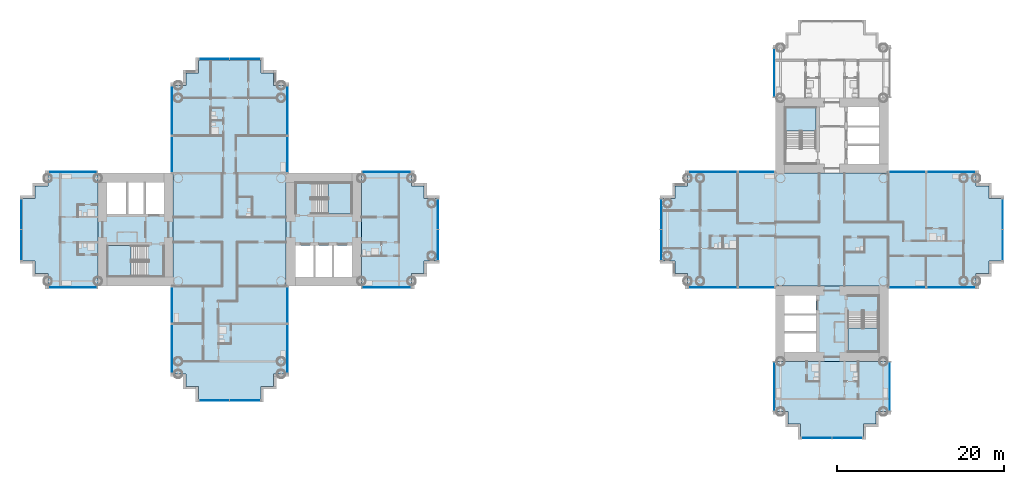
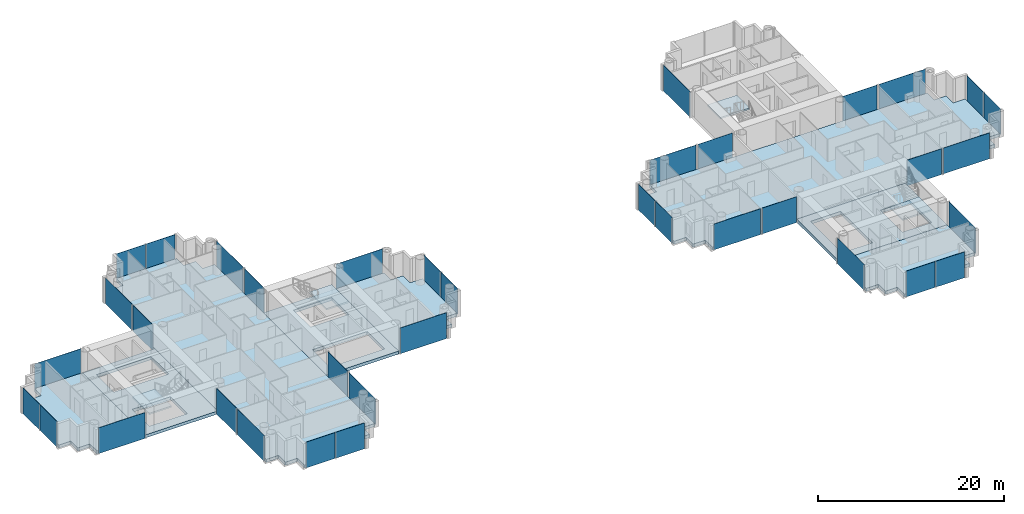
# One storey, part 7 of 21: 37 plates, 12 slabs, 34 elements without a shape of their own.
"""IFC4 building model written with IfcOpenShell, lengths in metres."""

from ifc_helpers import new_model, si_unit, direction, frame, origin, origin_2d, place, context, subcontext, project, spatial, polyline, rectangle, outline, extrude, material, layer, layer_set, type_object, element, aggregate, save


model = new_model("IFC4")

# Units and contexts
model_context = context("Model", 3, precision=1e-05, world=origin(), true_north=direction((0.0, 1.0)))
body_context = subcontext(model_context, "Body", "Model", "MODEL_VIEW")
ifc_project = project(units=[si_unit("LENGTHUNIT", "METRE"), si_unit("AREAUNIT", "SQUARE_METRE"), si_unit("VOLUMEUNIT", "CUBIC_METRE"), si_unit("PLANEANGLEUNIT", "RADIAN"), si_unit("MASSUNIT", "GRAM", prefix="KILO")], contexts=[model_context])

# Site, building, storey
site_placement = place(None, origin())
site = spatial("IfcSite", under=ifc_project, at=site_placement, CompositionType="ELEMENT")
building_placement = place(site_placement, origin())
building = spatial("IfcBuilding", under=site, at=building_placement, Name="Ipe Terrace Towers", CompositionType="ELEMENT")
storey_placement = place(building_placement, frame((0.0, 0.0, 27.89990234375)))
storey = spatial("IfcBuildingStorey", under=building, at=storey_placement, Name="L06", CompositionType="ELEMENT", Elevation=27.89990234375)

# Slabs
ifc_material_1 = material(Name="Concrete C30/37", Category="concrete")
ifc_layer_1 = layer(ifc_material_1, 0.39990234375)
ifc_layer_set_1 = layer_set([ifc_layer_1], Name="CORE FLOOR SLAB 400 C30-37")
slab_type_1 = type_object("IfcSlabType", Name="CORE FLOOR SLAB 400 C30-37", PredefinedType="FLOOR", material=ifc_layer_set_1)
slab_1_placement = place(storey_placement, frame((0.0, 0.0, -0.39990234375)))
element("IfcSlab", 1, at=slab_1_placement, inside=storey, type_object=slab_type_1, Name="Core floor T1-C1", PredefinedType="FLOOR", context=body_context, shape_type="SweptSolid", body=[
    extrude(outline(polyline([(-29.25, -6.75), (-29.25, 6.75), (-20.25, 6.75), (-20.25, -6.75), (-29.25, -6.75)]), holes=[polyline([(-28.14990234375, -5.64990234375), (-21.35009765625, -5.64990234375), (-21.35009765625, -1.89990234375), (-28.14990234375, -1.89990234375), (-28.14990234375, -5.64990234375)]), polyline([(-26.199951171875, 5.550048828125), (-26.199951171875, 1.89990234375), (-21.449951171875, 1.89990234375), (-21.449951171875, 5.550048828125), (-26.199951171875, 5.550048828125)])]), origin(), (0.0, 0.0, 1.0), 0.39990234375),
])
slab_2_placement = place(storey_placement, frame((0.0, 0.0, -0.39990234375)))
element("IfcSlab", 2, at=slab_2_placement, inside=storey, type_object=slab_type_1, Name="Core floor T1-C2", PredefinedType="FLOOR", context=body_context, shape_type="SweptSolid", body=[
    extrude(outline(polyline([(-51.75, -6.75), (-51.75, 6.75), (-42.75, 6.75), (-42.75, -6.75), (-51.75, -6.75)]), holes=[polyline([(-45.800048828125, -5.550048828125), (-45.800048828125, -1.89990234375), (-50.550048828125, -1.89990234375), (-50.550048828125, -5.550048828125), (-45.800048828125, -5.550048828125)]), polyline([(-50.64990234375, 1.89990234375), (-43.85009765625, 1.89990234375), (-43.85009765625, 5.64990234375), (-50.64990234375, 5.64990234375), (-50.64990234375, 1.89990234375)])]), origin(), (0.0, 0.0, 1.0), 0.39990234375),
])
slab_3_placement = place(storey_placement, frame((0.0, 0.0, -0.39990234375)))
element("IfcSlab", 3, at=slab_3_placement, inside=storey, type_object=slab_type_1, Name="Core floor T2-C2", PredefinedType="FLOOR", context=body_context, shape_type="SweptSolid", body=[
    extrude(outline(polyline([(29.25, -15.75), (29.25, -6.75), (42.75, -6.75), (42.75, -15.75), (29.25, -15.75)]), holes=[polyline([(34.10009765625, -14.64990234375), (34.10009765625, -7.85009765625), (30.35009765625, -7.85009765625), (30.35009765625, -14.64990234375), (34.10009765625, -14.64990234375)]), polyline([(41.550048828125, -9.800048828125), (37.89990234375, -9.800048828125), (37.89990234375, -14.550048828125), (41.550048828125, -14.550048828125), (41.550048828125, -9.800048828125)])]), origin(), (0.0, 0.0, 1.0), 0.39990234375),
])

# Stair, slab
ifc_material_2 = material(Name="Concrete C30/37", Category="concrete")
stair_type = type_object("IfcStairType", Name="Protected exit stair", PredefinedType="HALF_TURN_STAIR", material=ifc_material_2)
stair_1_placement = place(storey_placement, origin())
stair_1 = element("IfcStair", 4, at=stair_1_placement, inside=storey, type_object=stair_type, Name="L06 Exit stair T1-C1", PredefinedType="HALF_TURN_STAIR")
ifc_material_3 = material(Name="Concrete C30/37", Category="concrete")
ifc_layer_2 = layer(ifc_material_3, 0.199951171875)
ifc_layer_set_2 = layer_set([ifc_layer_2], Name="Exit stair landing 200")
slab_type_2 = type_object("IfcSlabType", Name="Exit stair landing 200", PredefinedType="LANDING", material=ifc_layer_set_2)
slab_4_placement = place(storey_placement, frame((0.0, 0.0, 1.5)))
slab_4 = element("IfcSlab", 5, at=slab_4_placement, type_object=slab_type_2, Name="T1-ST1 landing 1", PredefinedType="LANDING", context=body_context, shape_type="SweptSolid", body=[
    extrude(outline(polyline([(-24.219970703125, 1.89990234375), (-21.449951171875, 1.89990234375), (-21.449951171875, 5.550048828125), (-24.219970703125, 5.550048828125), (-24.219970703125, 1.89990234375)])), origin(), (0.0, 0.0, 1.0), 0.2001953125),
])
aggregate(stair_1, [slab_4])

stair_2_placement = place(storey_placement, origin())
stair_2 = element("IfcStair", 6, at=stair_2_placement, inside=storey, type_object=stair_type, Name="L06 Exit stair T1-C2", PredefinedType="HALF_TURN_STAIR")
slab_5_placement = place(storey_placement, frame((0.0, 0.0, 1.5)))
slab_5 = element("IfcSlab", 7, at=slab_5_placement, type_object=slab_type_2, Name="T1-ST2 landing 1", PredefinedType="LANDING", context=body_context, shape_type="SweptSolid", body=[
    extrude(outline(polyline([(-47.780029296875, -1.89990234375), (-50.550048828125, -1.89990234375), (-50.550048828125, -5.550048828125), (-47.780029296875, -5.550048828125), (-47.780029296875, -1.89990234375)])), origin(), (0.0, 0.0, 1.0), 0.2001953125),
])
aggregate(stair_2, [slab_5])

stair_3_placement = place(storey_placement, origin())
stair_3 = element("IfcStair", 8, at=stair_3_placement, inside=storey, type_object=stair_type, Name="L06 Exit stair T2-C1", PredefinedType="HALF_TURN_STAIR")
slab_6_placement = place(storey_placement, frame((0.0, 0.0, 1.5)))
slab_6 = element("IfcSlab", 9, at=slab_6_placement, type_object=slab_type_2, Name="T2-ST1 landing 1", PredefinedType="LANDING", context=body_context, shape_type="SweptSolid", body=[
    extrude(outline(polyline([(34.10009765625, 11.780029296875), (34.10009765625, 14.550048828125), (30.449951171875, 14.550048828125), (30.449951171875, 11.780029296875), (34.10009765625, 11.780029296875)])), origin(), (0.0, 0.0, 1.0), 0.2001953125),
])
aggregate(stair_3, [slab_6])

stair_4_placement = place(storey_placement, origin())
stair_4 = element("IfcStair", 10, at=stair_4_placement, inside=storey, type_object=stair_type, Name="L06 Exit stair T2-C2", PredefinedType="HALF_TURN_STAIR")
slab_7_placement = place(storey_placement, frame((0.0, 0.0, 1.5)))
slab_7 = element("IfcSlab", 11, at=slab_7_placement, type_object=slab_type_2, Name="T2-ST2 landing 1", PredefinedType="LANDING", context=body_context, shape_type="SweptSolid", body=[
    extrude(outline(polyline([(37.89990234375, -11.780029296875), (37.89990234375, -14.550048828125), (41.550048828125, -14.550048828125), (41.550048828125, -11.780029296875), (37.89990234375, -11.780029296875)])), origin(), (0.0, 0.0, 1.0), 0.2001953125),
])
aggregate(stair_4, [slab_7])

# Slabs
ifc_material_4 = material(Name="Concrete C40/50", Category="concrete")
ifc_layer_3 = layer(ifc_material_4, 0.39990234375)
ifc_layer_set_3 = layer_set([ifc_layer_3], Name="FLAT PLATE SLAB 400 C40-50")
slab_type_3 = type_object("IfcSlabType", Name="FLAT PLATE SLAB 400 C40-50", PredefinedType="FLOOR", material=ifc_layer_set_3)
slab_8_placement = place(storey_placement, frame((0.0, 0.0, -0.39990234375)))
element("IfcSlab", 12, at=slab_8_placement, inside=storey, type_object=slab_type_3, Name="Slab T1-FS-Z11", PredefinedType="FLOOR", context=body_context, shape_type="SweptSolid", body=[
    extrude(outline(polyline([(-30.75, -17.25), (-30.75, -18.75), (-32.25, -18.75), (-32.25, -20.25), (-39.75, -20.25), (-39.75, -18.75), (-41.25, -18.75), (-41.25, -17.25), (-42.75, -17.25), (-42.75, -6.75), (-42.75, 6.75), (-42.75, 17.25), (-41.25, 17.25), (-41.25, 18.75), (-39.75, 18.75), (-39.75, 20.25), (-32.25, 20.25), (-32.25, 18.75), (-30.75, 18.75), (-30.75, 17.25), (-29.25, 17.25), (-29.25, 6.75), (-29.25, -6.75), (-29.25, -17.25), (-30.75, -17.25)])), origin(), (0.0, 0.0, 1.0), 0.39990234375),
])
slab_9_placement = place(storey_placement, frame((0.0, 0.0, -0.39990234375)))
element("IfcSlab", 13, at=slab_9_placement, inside=storey, type_object=slab_type_3, Name="Slab T1-FS-Z12", PredefinedType="FLOOR", context=body_context, shape_type="SweptSolid", body=[
    extrude(outline(polyline([(-57.75, -6.75), (-57.75, -5.25), (-59.25, -5.25), (-59.25, -3.75), (-60.75, -3.75), (-60.75, 3.75), (-59.25, 3.75), (-59.25, 5.25), (-57.75, 5.25), (-57.75, 6.75), (-51.75, 6.75), (-51.75, -6.75), (-57.75, -6.75)])), origin(), (0.0, 0.0, 1.0), 0.39990234375),
])
slab_10_placement = place(storey_placement, frame((0.0, 0.0, -0.39990234375)))
element("IfcSlab", 14, at=slab_10_placement, inside=storey, type_object=slab_type_3, Name="Slab T1-FS-Z13", PredefinedType="FLOOR", context=body_context, shape_type="SweptSolid", body=[
    extrude(outline(polyline([(-14.25, 5.25), (-12.75, 5.25), (-12.75, 3.75), (-11.25, 3.75), (-11.25, -3.75), (-12.75, -3.75), (-12.75, -5.25), (-14.25, -5.25), (-14.25, -6.75), (-20.25, -6.75), (-20.25, 6.75), (-14.25, 6.75), (-14.25, 5.25)])), origin(), (0.0, 0.0, 1.0), 0.39990234375),
])
slab_11_placement = place(storey_placement, frame((0.0, 0.0, -0.39990234375)))
element("IfcSlab", 15, at=slab_11_placement, inside=storey, type_object=slab_type_3, Name="Slab T2-FS-Z11", PredefinedType="FLOOR", context=body_context, shape_type="SweptSolid", body=[
    extrude(outline(polyline([(53.25, 5.25), (54.75, 5.25), (54.75, 3.75), (56.25, 3.75), (56.25, -3.75), (54.75, -3.75), (54.75, -5.25), (53.25, -5.25), (53.25, -6.75), (42.75, -6.75), (29.25, -6.75), (18.75, -6.75), (18.75, -5.25), (17.25, -5.25), (17.25, -3.75), (15.75, -3.75), (15.75, 3.75), (17.25, 3.75), (17.25, 5.25), (18.75, 5.25), (18.75, 6.75), (29.25, 6.75), (42.75, 6.75), (53.25, 6.75), (53.25, 5.25)])), origin(), (0.0, 0.0, 1.0), 0.39990234375),
])
slab_12_placement = place(storey_placement, frame((0.0, 0.0, -0.39990234375)))
element("IfcSlab", 16, at=slab_12_placement, inside=storey, type_object=slab_type_3, Name="Slab T2-FS-Z12", PredefinedType="FLOOR", context=body_context, shape_type="SweptSolid", body=[
    extrude(outline(polyline([(42.75, -21.75), (41.25, -21.75), (41.25, -23.25), (39.75, -23.25), (39.75, -24.75), (32.25, -24.75), (32.25, -23.25), (30.75, -23.25), (30.75, -21.75), (29.25, -21.75), (29.25, -15.75), (42.75, -15.75), (42.75, -21.75)])), origin(), (0.0, 0.0, 1.0), 0.39990234375),
])

# Curtain wall, plate
ifc_material_5 = material(Name="Aluminium alloy 6063-T6", Category="aluminium")
ifc_layer_4 = layer(ifc_material_5, 0.320068359375)
ifc_layer_set_4 = layer_set([ifc_layer_4], Name="TOWER UNITISED CURTAIN WALL")
curtain_wall_type = type_object("IfcCurtainWallType", Name="TOWER UNITISED CURTAIN WALL", PredefinedType="NOTDEFINED", material=ifc_layer_set_4)
curtain_wall_1_placement = place(storey_placement, origin())
curtain_wall_1 = element("IfcCurtainWall", 17, at=curtain_wall_1_placement, inside=storey, type_object=curtain_wall_type, Name="T1-CW-L06-04a curtain wall", PredefinedType="NOTDEFINED")
ifc_material_6 = material(Name="Glass, clear laminated", Category="glass")
ifc_layer_5 = layer(ifc_material_6, 0.031982421875)
ifc_layer_set_5 = layer_set([ifc_layer_5], Name="TOWER UNITISED GLASS PANEL 32")
plate_type = type_object("IfcPlateType", Name="TOWER UNITISED GLASS PANEL 32", PredefinedType="CURTAIN_PANEL", material=ifc_layer_set_5)
plate_1_placement = place(storey_placement, frame((-54.75048828125, -6.909912109375, -0.2998046875), z_axis=(0.0, 0.0, 1.0), x_axis=(1.0, 0.0, 0.0)))
plate_1 = element("IfcPlate", 18, at=plate_1_placement, type_object=plate_type, Name="T1-CW-L06-04a panel 1", PredefinedType="CURTAIN_PANEL", context=body_context, shape_type="SweptSolid", body=[
    extrude(rectangle(XDim=5.759033203125, YDim=0.031982421875, at=origin_2d()), origin(), (0.0, 0.0, 1.0), 3.39990234375),
])
aggregate(curtain_wall_1, [plate_1])

curtain_wall_2_placement = place(storey_placement, origin())
curtain_wall_2 = element("IfcCurtainWall", 19, at=curtain_wall_2_placement, inside=storey, type_object=curtain_wall_type, Name="T1-CW-L06-06a curtain wall", PredefinedType="NOTDEFINED")
plate_2_placement = place(storey_placement, frame((-42.909912109375, -9.0, -0.2998046875), z_axis=(0.0, 0.0, 1.0), x_axis=(0.0, -1.0, 0.0)))
plate_2 = element("IfcPlate", 20, at=plate_2_placement, type_object=plate_type, Name="T1-CW-L06-06a panel 1", PredefinedType="CURTAIN_PANEL", context=body_context, shape_type="SweptSolid", body=[
    extrude(rectangle(XDim=4.260009765625, YDim=0.031982421875, at=origin_2d()), origin(), (0.0, 0.0, 1.0), 3.39990234375),
])
aggregate(curtain_wall_2, [plate_2])

curtain_wall_3_placement = place(storey_placement, origin())
curtain_wall_3 = element("IfcCurtainWall", 21, at=curtain_wall_3_placement, inside=storey, type_object=curtain_wall_type, Name="T1-CW-L06-07a curtain wall", PredefinedType="NOTDEFINED")
plate_3_placement = place(storey_placement, frame((-42.909912109375, -14.25, -0.2998046875), z_axis=(0.0, 0.0, 1.0), x_axis=(0.0, -1.0, 0.0)))
plate_3 = element("IfcPlate", 22, at=plate_3_placement, type_object=plate_type, Name="T1-CW-L06-07a panel 1", PredefinedType="CURTAIN_PANEL", context=body_context, shape_type="SweptSolid", body=[
    extrude(rectangle(XDim=5.760009765625, YDim=0.031982421875, at=origin_2d()), origin(), (0.0, 0.0, 1.0), 3.39990234375),
])
aggregate(curtain_wall_3, [plate_3])

# Curtain wall, plates
curtain_wall_4_placement = place(storey_placement, origin())
curtain_wall_4 = element("IfcCurtainWall", 23, at=curtain_wall_4_placement, inside=storey, type_object=curtain_wall_type, Name="T1-CW-L06-12a curtain wall", PredefinedType="NOTDEFINED")
plate_4_placement = place(storey_placement, frame((-37.831298828125, -20.409912109375, -0.2998046875), z_axis=(0.0, 0.0, 1.0), x_axis=(1.0, 0.0, 0.0)))
plate_4 = element("IfcPlate", 24, at=plate_4_placement, type_object=plate_type, Name="T1-CW-L06-12a panel 1", PredefinedType="CURTAIN_PANEL", context=body_context, shape_type="SweptSolid", body=[
    extrude(rectangle(XDim=3.597412109375, YDim=0.031982421875, at=origin_2d()), origin(), (0.0, 0.0, 1.0), 3.39990234375),
])
plate_5_placement = place(storey_placement, frame((-34.168701171875, -20.409912109375, -0.2998046875), z_axis=(0.0, 0.0, 1.0), x_axis=(1.0, 0.0, 0.0)))
plate_5 = element("IfcPlate", 25, at=plate_5_placement, type_object=plate_type, Name="T1-CW-L06-12a panel 2", PredefinedType="CURTAIN_PANEL", context=body_context, shape_type="SweptSolid", body=[
    extrude(rectangle(XDim=3.597412109375, YDim=0.031982421875, at=origin_2d()), origin(), (0.0, 0.0, 1.0), 3.39990234375),
])
aggregate(curtain_wall_4, [plate_4, plate_5])

# Curtain wall, plate
curtain_wall_5_placement = place(storey_placement, origin())
curtain_wall_5 = element("IfcCurtainWall", 26, at=curtain_wall_5_placement, inside=storey, type_object=curtain_wall_type, Name="T1-CW-L06-17a curtain wall", PredefinedType="NOTDEFINED")
plate_6_placement = place(storey_placement, frame((-29.090087890625, -14.25, -0.2998046875), z_axis=(0.0, 0.0, 1.0), x_axis=(0.0, 1.0, 0.0)))
plate_6 = element("IfcPlate", 27, at=plate_6_placement, type_object=plate_type, Name="T1-CW-L06-17a panel 1", PredefinedType="CURTAIN_PANEL", context=body_context, shape_type="SweptSolid", body=[
    extrude(rectangle(XDim=5.760009765625, YDim=0.031982421875, at=origin_2d()), origin(), (0.0, 0.0, 1.0), 3.39990234375),
])
aggregate(curtain_wall_5, [plate_6])

curtain_wall_6_placement = place(storey_placement, origin())
curtain_wall_6 = element("IfcCurtainWall", 28, at=curtain_wall_6_placement, inside=storey, type_object=curtain_wall_type, Name="T1-CW-L06-18a curtain wall", PredefinedType="NOTDEFINED")
plate_7_placement = place(storey_placement, frame((-29.090087890625, -9.0, -0.2998046875), z_axis=(0.0, 0.0, 1.0), x_axis=(0.0, 1.0, 0.0)))
plate_7 = element("IfcPlate", 29, at=plate_7_placement, type_object=plate_type, Name="T1-CW-L06-18a panel 1", PredefinedType="CURTAIN_PANEL", context=body_context, shape_type="SweptSolid", body=[
    extrude(rectangle(XDim=4.260009765625, YDim=0.031982421875, at=origin_2d()), origin(), (0.0, 0.0, 1.0), 3.39990234375),
])
aggregate(curtain_wall_6, [plate_7])

curtain_wall_7_placement = place(storey_placement, origin())
curtain_wall_7 = element("IfcCurtainWall", 30, at=curtain_wall_7_placement, inside=storey, type_object=curtain_wall_type, Name="T1-CW-L06-20b curtain wall", PredefinedType="NOTDEFINED")
plate_8_placement = place(storey_placement, frame((-17.24951171875, -6.909912109375, -0.2998046875), z_axis=(0.0, 0.0, 1.0), x_axis=(1.0, 0.0, 0.0)))
plate_8 = element("IfcPlate", 31, at=plate_8_placement, type_object=plate_type, Name="T1-CW-L06-20b panel 1", PredefinedType="CURTAIN_PANEL", context=body_context, shape_type="SweptSolid", body=[
    extrude(rectangle(XDim=5.759033203125, YDim=0.031982421875, at=origin_2d()), origin(), (0.0, 0.0, 1.0), 3.39990234375),
])
aggregate(curtain_wall_7, [plate_8])

# Curtain wall, plates
curtain_wall_8_placement = place(storey_placement, origin())
curtain_wall_8 = element("IfcCurtainWall", 32, at=curtain_wall_8_placement, inside=storey, type_object=curtain_wall_type, Name="T1-CW-L06-25a curtain wall", PredefinedType="NOTDEFINED")
plate_9_placement = place(storey_placement, frame((-11.090087890625, -1.831298828125, -0.2998046875), z_axis=(0.0, 0.0, 1.0), x_axis=(0.0, 1.0, 0.0)))
plate_9 = element("IfcPlate", 33, at=plate_9_placement, type_object=plate_type, Name="T1-CW-L06-25a panel 1", PredefinedType="CURTAIN_PANEL", context=body_context, shape_type="SweptSolid", body=[
    extrude(rectangle(XDim=3.597412109375, YDim=0.031982421875, at=origin_2d()), origin(), (0.0, 0.0, 1.0), 3.39990234375),
])
plate_10_placement = place(storey_placement, frame((-11.090087890625, 1.831298828125, -0.2998046875), z_axis=(0.0, 0.0, 1.0), x_axis=(0.0, 1.0, 0.0)))
plate_10 = element("IfcPlate", 34, at=plate_10_placement, type_object=plate_type, Name="T1-CW-L06-25a panel 2", PredefinedType="CURTAIN_PANEL", context=body_context, shape_type="SweptSolid", body=[
    extrude(rectangle(XDim=3.597412109375, YDim=0.031982421875, at=origin_2d()), origin(), (0.0, 0.0, 1.0), 3.39990234375),
])
aggregate(curtain_wall_8, [plate_9, plate_10])

# Curtain wall, plate
curtain_wall_9_placement = place(storey_placement, origin())
curtain_wall_9 = element("IfcCurtainWall", 35, at=curtain_wall_9_placement, inside=storey, type_object=curtain_wall_type, Name="T1-CW-L06-30a curtain wall", PredefinedType="NOTDEFINED")
plate_11_placement = place(storey_placement, frame((-17.24951171875, 6.909912109375, -0.2998046875), z_axis=(0.0, 0.0, 1.0), x_axis=(-1.0, 0.0, 0.0)))
plate_11 = element("IfcPlate", 36, at=plate_11_placement, type_object=plate_type, Name="T1-CW-L06-30a panel 1", PredefinedType="CURTAIN_PANEL", context=body_context, shape_type="SweptSolid", body=[
    extrude(rectangle(XDim=5.759033203125, YDim=0.031982421875, at=origin_2d()), origin(), (0.0, 0.0, 1.0), 3.39990234375),
])
aggregate(curtain_wall_9, [plate_11])

curtain_wall_10_placement = place(storey_placement, origin())
curtain_wall_10 = element("IfcCurtainWall", 37, at=curtain_wall_10_placement, inside=storey, type_object=curtain_wall_type, Name="T1-CW-L06-32a curtain wall", PredefinedType="NOTDEFINED")
plate_12_placement = place(storey_placement, frame((-29.090087890625, 9.0, -0.2998046875), z_axis=(0.0, 0.0, 1.0), x_axis=(0.0, 1.0, 0.0)))
plate_12 = element("IfcPlate", 38, at=plate_12_placement, type_object=plate_type, Name="T1-CW-L06-32a panel 1", PredefinedType="CURTAIN_PANEL", context=body_context, shape_type="SweptSolid", body=[
    extrude(rectangle(XDim=4.260009765625, YDim=0.031982421875, at=origin_2d()), origin(), (0.0, 0.0, 1.0), 3.39990234375),
])
aggregate(curtain_wall_10, [plate_12])

curtain_wall_11_placement = place(storey_placement, origin())
curtain_wall_11 = element("IfcCurtainWall", 39, at=curtain_wall_11_placement, inside=storey, type_object=curtain_wall_type, Name="T1-CW-L06-33a curtain wall", PredefinedType="NOTDEFINED")
plate_13_placement = place(storey_placement, frame((-29.090087890625, 14.25, -0.2998046875), z_axis=(0.0, 0.0, 1.0), x_axis=(0.0, 1.0, 0.0)))
plate_13 = element("IfcPlate", 40, at=plate_13_placement, type_object=plate_type, Name="T1-CW-L06-33a panel 1", PredefinedType="CURTAIN_PANEL", context=body_context, shape_type="SweptSolid", body=[
    extrude(rectangle(XDim=5.760009765625, YDim=0.031982421875, at=origin_2d()), origin(), (0.0, 0.0, 1.0), 3.39990234375),
])
aggregate(curtain_wall_11, [plate_13])

# Curtain wall, plates
curtain_wall_12_placement = place(storey_placement, origin())
curtain_wall_12 = element("IfcCurtainWall", 41, at=curtain_wall_12_placement, inside=storey, type_object=curtain_wall_type, Name="T1-CW-L06-38a curtain wall", PredefinedType="NOTDEFINED")
plate_14_placement = place(storey_placement, frame((-34.168701171875, 20.409912109375, -0.2998046875), z_axis=(0.0, 0.0, 1.0), x_axis=(-1.0, 0.0, 0.0)))
plate_14 = element("IfcPlate", 42, at=plate_14_placement, type_object=plate_type, Name="T1-CW-L06-38a panel 1", PredefinedType="CURTAIN_PANEL", context=body_context, shape_type="SweptSolid", body=[
    extrude(rectangle(XDim=3.597412109375, YDim=0.031982421875, at=origin_2d()), origin(), (0.0, 0.0, 1.0), 3.39990234375),
])
plate_15_placement = place(storey_placement, frame((-37.831298828125, 20.409912109375, -0.2998046875), z_axis=(0.0, 0.0, 1.0), x_axis=(-1.0, 0.0, 0.0)))
plate_15 = element("IfcPlate", 43, at=plate_15_placement, type_object=plate_type, Name="T1-CW-L06-38a panel 2", PredefinedType="CURTAIN_PANEL", context=body_context, shape_type="SweptSolid", body=[
    extrude(rectangle(XDim=3.597412109375, YDim=0.031982421875, at=origin_2d()), origin(), (0.0, 0.0, 1.0), 3.39990234375),
])
aggregate(curtain_wall_12, [plate_14, plate_15])

# Curtain wall, plate
curtain_wall_13_placement = place(storey_placement, origin())
curtain_wall_13 = element("IfcCurtainWall", 44, at=curtain_wall_13_placement, inside=storey, type_object=curtain_wall_type, Name="T1-CW-L06-43a curtain wall", PredefinedType="NOTDEFINED")
plate_16_placement = place(storey_placement, frame((-42.909912109375, 14.25, -0.2998046875), z_axis=(0.0, 0.0, 1.0), x_axis=(0.0, -1.0, 0.0)))
plate_16 = element("IfcPlate", 45, at=plate_16_placement, type_object=plate_type, Name="T1-CW-L06-43a panel 1", PredefinedType="CURTAIN_PANEL", context=body_context, shape_type="SweptSolid", body=[
    extrude(rectangle(XDim=5.760009765625, YDim=0.031982421875, at=origin_2d()), origin(), (0.0, 0.0, 1.0), 3.39990234375),
])
aggregate(curtain_wall_13, [plate_16])

curtain_wall_14_placement = place(storey_placement, origin())
curtain_wall_14 = element("IfcCurtainWall", 46, at=curtain_wall_14_placement, inside=storey, type_object=curtain_wall_type, Name="T1-CW-L06-44a curtain wall", PredefinedType="NOTDEFINED")
plate_17_placement = place(storey_placement, frame((-42.909912109375, 9.0, -0.2998046875), z_axis=(0.0, 0.0, 1.0), x_axis=(0.0, -1.0, 0.0)))
plate_17 = element("IfcPlate", 47, at=plate_17_placement, type_object=plate_type, Name="T1-CW-L06-44a panel 1", PredefinedType="CURTAIN_PANEL", context=body_context, shape_type="SweptSolid", body=[
    extrude(rectangle(XDim=4.260009765625, YDim=0.031982421875, at=origin_2d()), origin(), (0.0, 0.0, 1.0), 3.39990234375),
])
aggregate(curtain_wall_14, [plate_17])

curtain_wall_15_placement = place(storey_placement, origin())
curtain_wall_15 = element("IfcCurtainWall", 48, at=curtain_wall_15_placement, inside=storey, type_object=curtain_wall_type, Name="T1-CW-L06-46b curtain wall", PredefinedType="NOTDEFINED")
plate_18_placement = place(storey_placement, frame((-54.75048828125, 6.909912109375, -0.2998046875), z_axis=(0.0, 0.0, 1.0), x_axis=(-1.0, 0.0, 0.0)))
plate_18 = element("IfcPlate", 49, at=plate_18_placement, type_object=plate_type, Name="T1-CW-L06-46b panel 1", PredefinedType="CURTAIN_PANEL", context=body_context, shape_type="SweptSolid", body=[
    extrude(rectangle(XDim=5.759033203125, YDim=0.031982421875, at=origin_2d()), origin(), (0.0, 0.0, 1.0), 3.39990234375),
])
aggregate(curtain_wall_15, [plate_18])

# Curtain wall, plates
curtain_wall_16_placement = place(storey_placement, origin())
curtain_wall_16 = element("IfcCurtainWall", 50, at=curtain_wall_16_placement, inside=storey, type_object=curtain_wall_type, Name="T1-CW-L06-51a curtain wall", PredefinedType="NOTDEFINED")
plate_19_placement = place(storey_placement, frame((-60.909912109375, 1.831298828125, -0.2998046875), z_axis=(0.0, 0.0, 1.0), x_axis=(0.0, -1.0, 0.0)))
plate_19 = element("IfcPlate", 51, at=plate_19_placement, type_object=plate_type, Name="T1-CW-L06-51a panel 1", PredefinedType="CURTAIN_PANEL", context=body_context, shape_type="SweptSolid", body=[
    extrude(rectangle(XDim=3.597412109375, YDim=0.031982421875, at=origin_2d()), origin(), (0.0, 0.0, 1.0), 3.39990234375),
])
plate_20_placement = place(storey_placement, frame((-60.909912109375, -1.831298828125, -0.2998046875), z_axis=(0.0, 0.0, 1.0), x_axis=(0.0, -1.0, 0.0)))
plate_20 = element("IfcPlate", 52, at=plate_20_placement, type_object=plate_type, Name="T1-CW-L06-51a panel 2", PredefinedType="CURTAIN_PANEL", context=body_context, shape_type="SweptSolid", body=[
    extrude(rectangle(XDim=3.597412109375, YDim=0.031982421875, at=origin_2d()), origin(), (0.0, 0.0, 1.0), 3.39990234375),
])
aggregate(curtain_wall_16, [plate_19, plate_20])

# Curtain wall, plate
curtain_wall_17_placement = place(storey_placement, origin())
curtain_wall_17 = element("IfcCurtainWall", 53, at=curtain_wall_17_placement, inside=storey, type_object=curtain_wall_type, Name="T2-CW-L06-04a curtain wall", PredefinedType="NOTDEFINED")
plate_21_placement = place(storey_placement, frame((42.909912109375, -18.75048828125, -0.2998046875), z_axis=(0.0, 0.0, 1.0), x_axis=(0.0, 1.0, 0.0)))
plate_21 = element("IfcPlate", 54, at=plate_21_placement, type_object=plate_type, Name="T2-CW-L06-04a panel 1", PredefinedType="CURTAIN_PANEL", context=body_context, shape_type="SweptSolid", body=[
    extrude(rectangle(XDim=5.759033203125, YDim=0.031982421875, at=origin_2d()), origin(), (0.0, 0.0, 1.0), 3.39990234375),
])
aggregate(curtain_wall_17, [plate_21])

curtain_wall_18_placement = place(storey_placement, origin())
curtain_wall_18 = element("IfcCurtainWall", 55, at=curtain_wall_18_placement, inside=storey, type_object=curtain_wall_type, Name="T2-CW-L06-06a curtain wall", PredefinedType="NOTDEFINED")
plate_22_placement = place(storey_placement, frame((45.0, -6.909912109375, -0.2998046875), z_axis=(0.0, 0.0, 1.0), x_axis=(1.0, 0.0, 0.0)))
plate_22 = element("IfcPlate", 56, at=plate_22_placement, type_object=plate_type, Name="T2-CW-L06-06a panel 1", PredefinedType="CURTAIN_PANEL", context=body_context, shape_type="SweptSolid", body=[
    extrude(rectangle(XDim=4.260009765625, YDim=0.031982421875, at=origin_2d()), origin(), (0.0, 0.0, 1.0), 3.39990234375),
])
aggregate(curtain_wall_18, [plate_22])

curtain_wall_19_placement = place(storey_placement, origin())
curtain_wall_19 = element("IfcCurtainWall", 57, at=curtain_wall_19_placement, inside=storey, type_object=curtain_wall_type, Name="T2-CW-L06-07a curtain wall", PredefinedType="NOTDEFINED")
plate_23_placement = place(storey_placement, frame((50.25, -6.909912109375, -0.2998046875), z_axis=(0.0, 0.0, 1.0), x_axis=(1.0, 0.0, 0.0)))
plate_23 = element("IfcPlate", 58, at=plate_23_placement, type_object=plate_type, Name="T2-CW-L06-07a panel 1", PredefinedType="CURTAIN_PANEL", context=body_context, shape_type="SweptSolid", body=[
    extrude(rectangle(XDim=5.760009765625, YDim=0.031982421875, at=origin_2d()), origin(), (0.0, 0.0, 1.0), 3.39990234375),
])
aggregate(curtain_wall_19, [plate_23])

# Curtain wall, plates
curtain_wall_20_placement = place(storey_placement, origin())
curtain_wall_20 = element("IfcCurtainWall", 59, at=curtain_wall_20_placement, inside=storey, type_object=curtain_wall_type, Name="T2-CW-L06-12a curtain wall", PredefinedType="NOTDEFINED")
plate_24_placement = place(storey_placement, frame((56.409912109375, -1.831298828125, -0.2998046875), z_axis=(0.0, 0.0, 1.0), x_axis=(0.0, 1.0, 0.0)))
plate_24 = element("IfcPlate", 60, at=plate_24_placement, type_object=plate_type, Name="T2-CW-L06-12a panel 1", PredefinedType="CURTAIN_PANEL", context=body_context, shape_type="SweptSolid", body=[
    extrude(rectangle(XDim=3.597412109375, YDim=0.031982421875, at=origin_2d()), origin(), (0.0, 0.0, 1.0), 3.39990234375),
])
plate_25_placement = place(storey_placement, frame((56.409912109375, 1.831298828125, -0.2998046875), z_axis=(0.0, 0.0, 1.0), x_axis=(0.0, 1.0, 0.0)))
plate_25 = element("IfcPlate", 61, at=plate_25_placement, type_object=plate_type, Name="T2-CW-L06-12a panel 2", PredefinedType="CURTAIN_PANEL", context=body_context, shape_type="SweptSolid", body=[
    extrude(rectangle(XDim=3.597412109375, YDim=0.031982421875, at=origin_2d()), origin(), (0.0, 0.0, 1.0), 3.39990234375),
])
aggregate(curtain_wall_20, [plate_24, plate_25])

# Curtain wall, plate
curtain_wall_21_placement = place(storey_placement, origin())
curtain_wall_21 = element("IfcCurtainWall", 62, at=curtain_wall_21_placement, inside=storey, type_object=curtain_wall_type, Name="T2-CW-L06-17a curtain wall", PredefinedType="NOTDEFINED")
plate_26_placement = place(storey_placement, frame((50.25, 6.909912109375, -0.2998046875), z_axis=(0.0, 0.0, 1.0), x_axis=(-1.0, 0.0, 0.0)))
plate_26 = element("IfcPlate", 63, at=plate_26_placement, type_object=plate_type, Name="T2-CW-L06-17a panel 1", PredefinedType="CURTAIN_PANEL", context=body_context, shape_type="SweptSolid", body=[
    extrude(rectangle(XDim=5.760009765625, YDim=0.031982421875, at=origin_2d()), origin(), (0.0, 0.0, 1.0), 3.39990234375),
])
aggregate(curtain_wall_21, [plate_26])

curtain_wall_22_placement = place(storey_placement, origin())
curtain_wall_22 = element("IfcCurtainWall", 64, at=curtain_wall_22_placement, inside=storey, type_object=curtain_wall_type, Name="T2-CW-L06-18a curtain wall", PredefinedType="NOTDEFINED")
plate_27_placement = place(storey_placement, frame((45.0, 6.909912109375, -0.2998046875), z_axis=(0.0, 0.0, 1.0), x_axis=(-1.0, 0.0, 0.0)))
plate_27 = element("IfcPlate", 65, at=plate_27_placement, type_object=plate_type, Name="T2-CW-L06-18a panel 1", PredefinedType="CURTAIN_PANEL", context=body_context, shape_type="SweptSolid", body=[
    extrude(rectangle(XDim=4.260009765625, YDim=0.031982421875, at=origin_2d()), origin(), (0.0, 0.0, 1.0), 3.39990234375),
])
aggregate(curtain_wall_22, [plate_27])

curtain_wall_23_placement = place(storey_placement, origin())
curtain_wall_23 = element("IfcCurtainWall", 66, at=curtain_wall_23_placement, inside=storey, type_object=curtain_wall_type, Name="T2-CW-L06-30a curtain wall", PredefinedType="NOTDEFINED")
plate_28_placement = place(storey_placement, frame((29.090087890625, 18.75048828125, -0.2998046875), z_axis=(0.0, 0.0, 1.0), x_axis=(0.0, -1.0, 0.0)))
plate_28 = element("IfcPlate", 67, at=plate_28_placement, type_object=plate_type, Name="T2-CW-L06-30a panel 1", PredefinedType="CURTAIN_PANEL", context=body_context, shape_type="SweptSolid", body=[
    extrude(rectangle(XDim=5.759033203125, YDim=0.031982421875, at=origin_2d()), origin(), (0.0, 0.0, 1.0), 3.39990234375),
])
aggregate(curtain_wall_23, [plate_28])

curtain_wall_24_placement = place(storey_placement, origin())
curtain_wall_24 = element("IfcCurtainWall", 68, at=curtain_wall_24_placement, inside=storey, type_object=curtain_wall_type, Name="T2-CW-L06-32a curtain wall", PredefinedType="NOTDEFINED")
plate_29_placement = place(storey_placement, frame((27.0, 6.909912109375, -0.2998046875), z_axis=(0.0, 0.0, 1.0), x_axis=(-1.0, 0.0, 0.0)))
plate_29 = element("IfcPlate", 69, at=plate_29_placement, type_object=plate_type, Name="T2-CW-L06-32a panel 1", PredefinedType="CURTAIN_PANEL", context=body_context, shape_type="SweptSolid", body=[
    extrude(rectangle(XDim=4.260009765625, YDim=0.031982421875, at=origin_2d()), origin(), (0.0, 0.0, 1.0), 3.39990234375),
])
aggregate(curtain_wall_24, [plate_29])

curtain_wall_25_placement = place(storey_placement, origin())
curtain_wall_25 = element("IfcCurtainWall", 70, at=curtain_wall_25_placement, inside=storey, type_object=curtain_wall_type, Name="T2-CW-L06-33a curtain wall", PredefinedType="NOTDEFINED")
plate_30_placement = place(storey_placement, frame((21.75, 6.909912109375, -0.2998046875), z_axis=(0.0, 0.0, 1.0), x_axis=(-1.0, 0.0, 0.0)))
plate_30 = element("IfcPlate", 71, at=plate_30_placement, type_object=plate_type, Name="T2-CW-L06-33a panel 1", PredefinedType="CURTAIN_PANEL", context=body_context, shape_type="SweptSolid", body=[
    extrude(rectangle(XDim=5.760009765625, YDim=0.031982421875, at=origin_2d()), origin(), (0.0, 0.0, 1.0), 3.39990234375),
])
aggregate(curtain_wall_25, [plate_30])

# Curtain wall, plates
curtain_wall_26_placement = place(storey_placement, origin())
curtain_wall_26 = element("IfcCurtainWall", 72, at=curtain_wall_26_placement, inside=storey, type_object=curtain_wall_type, Name="T2-CW-L06-38a curtain wall", PredefinedType="NOTDEFINED")
plate_31_placement = place(storey_placement, frame((15.590087890625, 1.831298828125, -0.2998046875), z_axis=(0.0, 0.0, 1.0), x_axis=(0.0, -1.0, 0.0)))
plate_31 = element("IfcPlate", 73, at=plate_31_placement, type_object=plate_type, Name="T2-CW-L06-38a panel 1", PredefinedType="CURTAIN_PANEL", context=body_context, shape_type="SweptSolid", body=[
    extrude(rectangle(XDim=3.597412109375, YDim=0.031982421875, at=origin_2d()), origin(), (0.0, 0.0, 1.0), 3.39990234375),
])
plate_32_placement = place(storey_placement, frame((15.590087890625, -1.831298828125, -0.2998046875), z_axis=(0.0, 0.0, 1.0), x_axis=(0.0, -1.0, 0.0)))
plate_32 = element("IfcPlate", 74, at=plate_32_placement, type_object=plate_type, Name="T2-CW-L06-38a panel 2", PredefinedType="CURTAIN_PANEL", context=body_context, shape_type="SweptSolid", body=[
    extrude(rectangle(XDim=3.597412109375, YDim=0.031982421875, at=origin_2d()), origin(), (0.0, 0.0, 1.0), 3.39990234375),
])
aggregate(curtain_wall_26, [plate_31, plate_32])

# Curtain wall, plate
curtain_wall_27_placement = place(storey_placement, origin())
curtain_wall_27 = element("IfcCurtainWall", 75, at=curtain_wall_27_placement, inside=storey, type_object=curtain_wall_type, Name="T2-CW-L06-43a curtain wall", PredefinedType="NOTDEFINED")
plate_33_placement = place(storey_placement, frame((21.75, -6.909912109375, -0.2998046875), z_axis=(0.0, 0.0, 1.0), x_axis=(1.0, 0.0, 0.0)))
plate_33 = element("IfcPlate", 76, at=plate_33_placement, type_object=plate_type, Name="T2-CW-L06-43a panel 1", PredefinedType="CURTAIN_PANEL", context=body_context, shape_type="SweptSolid", body=[
    extrude(rectangle(XDim=5.760009765625, YDim=0.031982421875, at=origin_2d()), origin(), (0.0, 0.0, 1.0), 3.39990234375),
])
aggregate(curtain_wall_27, [plate_33])

curtain_wall_28_placement = place(storey_placement, origin())
curtain_wall_28 = element("IfcCurtainWall", 77, at=curtain_wall_28_placement, inside=storey, type_object=curtain_wall_type, Name="T2-CW-L06-44a curtain wall", PredefinedType="NOTDEFINED")
plate_34_placement = place(storey_placement, frame((27.0, -6.909912109375, -0.2998046875), z_axis=(0.0, 0.0, 1.0), x_axis=(1.0, 0.0, 0.0)))
plate_34 = element("IfcPlate", 78, at=plate_34_placement, type_object=plate_type, Name="T2-CW-L06-44a panel 1", PredefinedType="CURTAIN_PANEL", context=body_context, shape_type="SweptSolid", body=[
    extrude(rectangle(XDim=4.260009765625, YDim=0.031982421875, at=origin_2d()), origin(), (0.0, 0.0, 1.0), 3.39990234375),
])
aggregate(curtain_wall_28, [plate_34])

curtain_wall_29_placement = place(storey_placement, origin())
curtain_wall_29 = element("IfcCurtainWall", 79, at=curtain_wall_29_placement, inside=storey, type_object=curtain_wall_type, Name="T2-CW-L06-46b curtain wall", PredefinedType="NOTDEFINED")
plate_35_placement = place(storey_placement, frame((29.090087890625, -18.75048828125, -0.2998046875), z_axis=(0.0, 0.0, 1.0), x_axis=(0.0, -1.0, 0.0)))
plate_35 = element("IfcPlate", 80, at=plate_35_placement, type_object=plate_type, Name="T2-CW-L06-46b panel 1", PredefinedType="CURTAIN_PANEL", context=body_context, shape_type="SweptSolid", body=[
    extrude(rectangle(XDim=5.759033203125, YDim=0.031982421875, at=origin_2d()), origin(), (0.0, 0.0, 1.0), 3.39990234375),
])
aggregate(curtain_wall_29, [plate_35])

# Curtain wall, plates
curtain_wall_30_placement = place(storey_placement, origin())
curtain_wall_30 = element("IfcCurtainWall", 81, at=curtain_wall_30_placement, inside=storey, type_object=curtain_wall_type, Name="T2-CW-L06-51a curtain wall", PredefinedType="NOTDEFINED")
plate_36_placement = place(storey_placement, frame((34.168701171875, -24.909912109375, -0.2998046875), z_axis=(0.0, 0.0, 1.0), x_axis=(1.0, 0.0, 0.0)))
plate_36 = element("IfcPlate", 82, at=plate_36_placement, type_object=plate_type, Name="T2-CW-L06-51a panel 1", PredefinedType="CURTAIN_PANEL", context=body_context, shape_type="SweptSolid", body=[
    extrude(rectangle(XDim=3.597412109375, YDim=0.031982421875, at=origin_2d()), origin(), (0.0, 0.0, 1.0), 3.39990234375),
])
plate_37_placement = place(storey_placement, frame((37.831298828125, -24.909912109375, -0.2998046875), z_axis=(0.0, 0.0, 1.0), x_axis=(1.0, 0.0, 0.0)))
plate_37 = element("IfcPlate", 83, at=plate_37_placement, type_object=plate_type, Name="T2-CW-L06-51a panel 2", PredefinedType="CURTAIN_PANEL", context=body_context, shape_type="SweptSolid", body=[
    extrude(rectangle(XDim=3.597412109375, YDim=0.031982421875, at=origin_2d()), origin(), (0.0, 0.0, 1.0), 3.39990234375),
])
aggregate(curtain_wall_30, [plate_36, plate_37])

save(model, "model.ifc")
